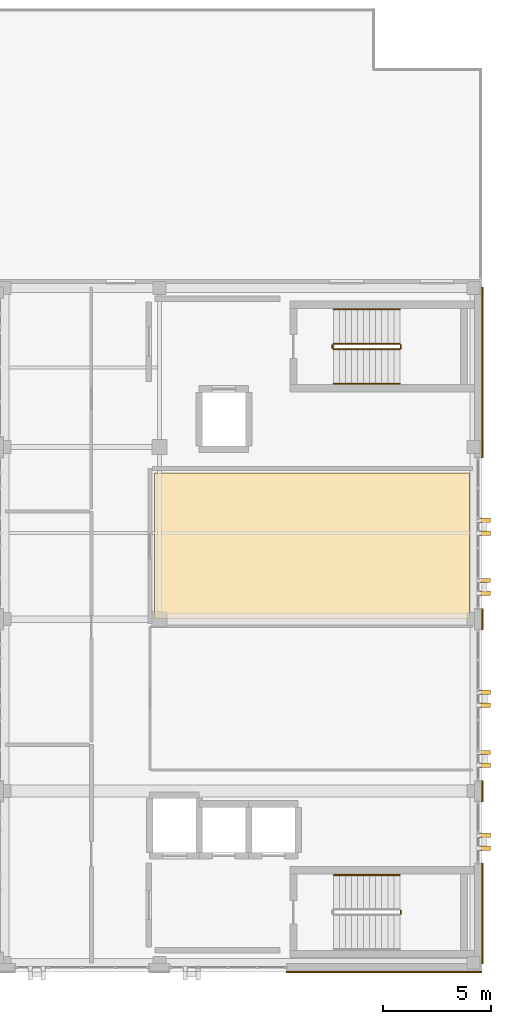
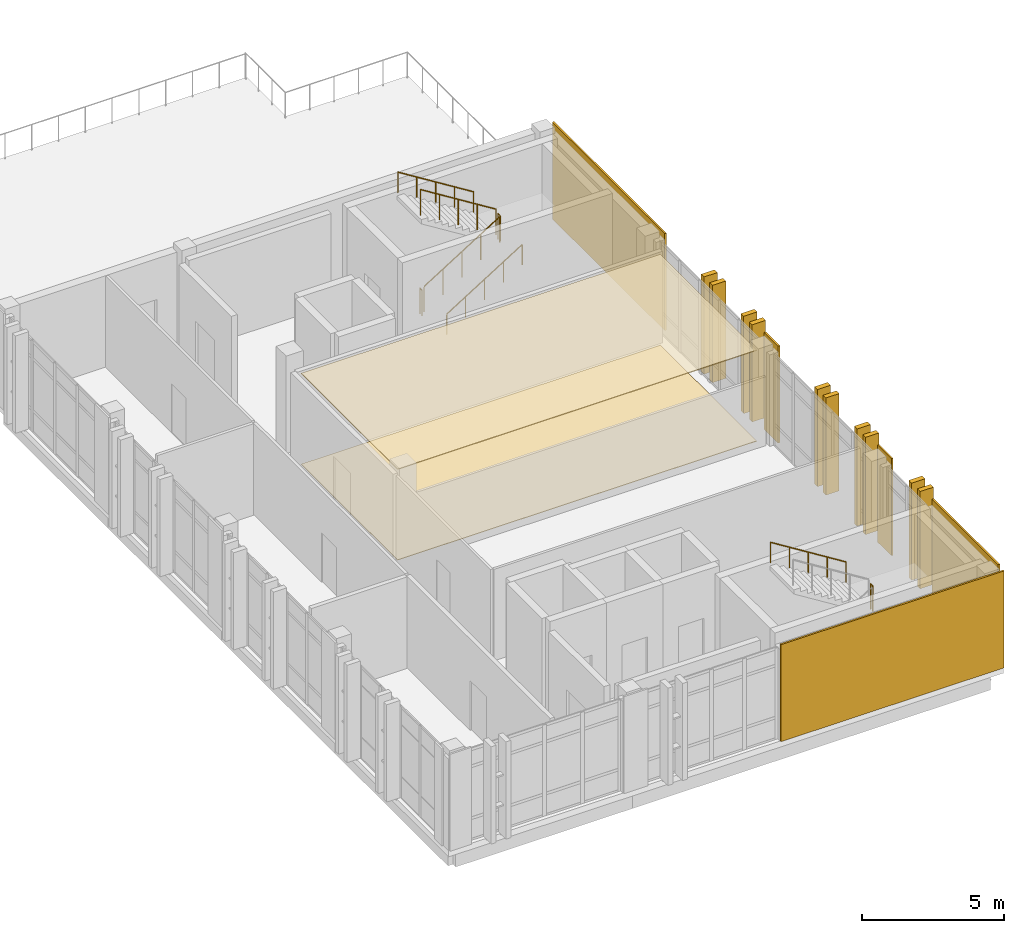
# One storey, part 45 of 48: 17 coverings, 8 railings.
"""IFC4 building model written with IfcOpenShell, lengths in metres."""

from ifc_helpers import new_model, si_unit, direction, frame, origin, origin_2d, place, context, subcontext, project, spatial, polyline, rectangle, circle, outline, extrude, material, layer, layer_set, type_object, element, save


model = new_model("IFC4")

# Units and contexts
model_context = context("Model", 3, precision=1e-05, world=origin(), true_north=direction((0.0, 1.0)))
body_context = subcontext(model_context, "Body", "Model", "MODEL_VIEW")
ifc_project = project(units=[si_unit("LENGTHUNIT", "METRE"), si_unit("AREAUNIT", "SQUARE_METRE"), si_unit("VOLUMEUNIT", "CUBIC_METRE"), si_unit("PLANEANGLEUNIT", "RADIAN"), si_unit("MASSUNIT", "GRAM", prefix="KILO")], contexts=[model_context])

# Site, building, storey
site_placement = place(None, origin())
site = spatial("IfcSite", under=ifc_project, at=site_placement, CompositionType="ELEMENT")
building_placement = place(site_placement, origin())
building = spatial("IfcBuilding", under=site, at=building_placement, Name="Qalavern Law Courts", CompositionType="ELEMENT")
storey_placement = place(building_placement, frame((0.0, 0.0, 31.199951171875)))
storey = spatial("IfcBuildingStorey", under=building, at=storey_placement, Name="L07", CompositionType="ELEMENT", Elevation=31.199951171875)

# Coverings
ifc_material_1 = material(Name="Precast concrete C40/50", Category="concrete")
ifc_layer_1 = layer(ifc_material_1, 0.199951171875)
ifc_layer_set_1 = layer_set([ifc_layer_1], Name="Precast concrete C40/50")
covering_type_1 = type_object("IfcCoveringType", Name="ENV-BLD-1", PredefinedType="CLADDING", material=ifc_layer_set_1)
for number, where, z_axis, x_axis, name in (
    (1, (106.9326171875, 46.75, 0.005126953125), (0.0, 0.0, 1.0), (1.0, 0.0, 0.0), "Absheron stone facade blade 0809"),
    (2, (106.9326171875, 47.35009765625, 0.005126953125), (0.0, 0.0, 1.0), (1.0, 0.0, 0.0), "Absheron stone facade blade 0810"),
    (3, (106.9326171875, 50.60009765625, 0.005126953125), (0.0, 0.0, 1.0), (1.0, 0.0, 0.0), "Absheron stone facade blade 0811"),
    (4, (106.9326171875, 51.199951171875, 0.005126953125), (0.0, 0.0, 1.0), (1.0, 0.0, 0.0), "Absheron stone facade blade 0812"),
    (5, (106.9326171875, 53.39990234375, 0.005126953125), (0.0, 0.0, 1.0), (1.0, 0.0, 0.0), "Absheron stone facade blade 0813"),
    (6, (106.9326171875, 54.0, 0.005126953125), (0.0, 0.0, 1.0), (1.0, 0.0, 0.0), "Absheron stone facade blade 0814"),
    (7, (106.9326171875, 58.60009765625, 0.005126953125), (0.0, 0.0, 1.0), (1.0, 0.0, 0.0), "Absheron stone facade blade 0815"),
    (8, (106.9326171875, 59.199951171875, 0.005126953125), (0.0, 0.0, 1.0), (1.0, 0.0, 0.0), "Absheron stone facade blade 0816"),
    (9, (106.9326171875, 61.39990234375, 0.005126953125), (0.0, 0.0, 1.0), (1.0, 0.0, 0.0), "Absheron stone facade blade 0817"),
    (10, (106.9326171875, 62.0, 0.005126953125), (0.0, 0.0, 1.0), (1.0, 0.0, 0.0), "Absheron stone facade blade 0818"),
):
    element("IfcCovering", number, at=place(storey_placement, frame(where, z_axis=z_axis, x_axis=x_axis)), inside=storey, type_object=covering_type_1, Name=name, PredefinedType="CLADDING", context=body_context, shape_type="SweptSolid", body=[
        extrude(rectangle(XDim=0.5400390625, YDim=0.199951171875, at=origin_2d()), origin(), (0.0, 0.0, 1.0), 4.18994140625),
    ])
ifc_layer_2 = layer(ifc_material_1, 0.072021484375)
ifc_layer_set_2 = layer_set([ifc_layer_2], Name="Precast concrete C40/50")
covering_type_2 = type_object("IfcCoveringType", Name="ENV-CLD-2", PredefinedType="CLADDING", material=ifc_layer_set_2)
covering_1_placement = place(storey_placement, frame((102.25, 40.987060546875, 0.01025390625), z_axis=(0.0, 0.0, 1.0), x_axis=(1.0, 0.0, 0.0)))
element("IfcCovering", 11, at=covering_1_placement, inside=storey, type_object=covering_type_2, Name="V4 Absheron limestone pier facing L07 south 3", PredefinedType="CLADDING", context=body_context, shape_type="SweptSolid", body=[
    extrude(rectangle(XDim=9.080078125, YDim=0.072021484375, at=origin_2d()), origin(), (0.0, 0.0, 1.0), 4.179931640625),
])
covering_2_placement = place(storey_placement, frame((106.8330078125, 43.7099609375, 0.01025390625), z_axis=(0.0, 0.0, 1.0), x_axis=(0.0, 1.0, 0.0)))
element("IfcCovering", 12, at=covering_2_placement, inside=storey, type_object=covering_type_2, Name="V4 Absheron limestone pier facing L07 east 1", PredefinedType="CLADDING", context=body_context, shape_type="SweptSolid", body=[
    extrude(rectangle(XDim=4.659912109375, YDim=0.072021484375, at=origin_2d()), origin(), (0.0, 0.0, 1.0), 4.179931640625),
])
for number, where, z_axis, x_axis, name in (
    (13, (106.8330078125, 49.39990234375, 0.01025390625), (0.0, 0.0, 1.0), (0.0, 1.0, 0.0), "V4 Absheron limestone pier facing L07 east 2"),
    (14, (106.8330078125, 57.39990234375, 0.01025390625), (0.0, 0.0, 1.0), (0.0, 1.0, 0.0), "V4 Absheron limestone pier facing L07 east 3"),
):
    element("IfcCovering", number, at=place(storey_placement, frame(where, z_axis=z_axis, x_axis=x_axis)), inside=storey, type_object=covering_type_2, Name=name, PredefinedType="CLADDING", context=body_context, shape_type="SweptSolid", body=[
        extrude(rectangle(XDim=0.97998046875, YDim=0.072021484375, at=origin_2d()), origin(), (0.0, 0.0, 1.0), 4.179931640625),
    ])
covering_3_placement = place(storey_placement, frame((106.8330078125, 68.875, 0.01025390625), z_axis=(0.0, 0.0, 1.0), x_axis=(0.0, 1.0, 0.0)))
element("IfcCovering", 15, at=covering_3_placement, inside=storey, type_object=covering_type_2, Name="V4 Absheron limestone pier facing L07 east 4", PredefinedType="CLADDING", context=body_context, shape_type="SweptSolid", body=[
    extrude(rectangle(XDim=7.929931640625, YDim=0.072021484375, at=origin_2d()), origin(), (0.0, 0.0, 1.0), 4.179931640625),
])
ifc_material_2 = material(Name="Perforated gypsum and mineral-wool acoustic ceiling")
ifc_layer_3 = layer(ifc_material_2, 0.0380859375)
ifc_layer_set_3 = layer_set([ifc_layer_3], Name="Perforated gypsum and mineral-wool acoustic ceiling")
covering_type_3 = type_object("IfcCoveringType", Name="INT-CEIL-1", PredefinedType="CEILING", material=ifc_layer_set_3)
covering_4_placement = place(storey_placement, frame((0.0, 0.0, 3.902099609375)))
element("IfcCovering", 16, at=covering_4_placement, inside=storey, type_object=covering_type_3, Name="Appellate Courtroom acoustic ceiling L07", PredefinedType="CEILING", context=body_context, shape_type="SweptSolid", body=[
    extrude(outline(polyline([(91.570068359375, 57.39501953125), (106.2099609375, 57.39501953125), (106.2099609375, 64.199951171875), (91.570068359375, 64.199951171875), (91.570068359375, 57.39501953125)])), origin(), (0.0, 0.0, 1.0), 0.037841796875),
])
ifc_material_3 = material(Name="Acoustic engineered oak courtroom flooring")
ifc_layer_4 = layer(ifc_material_3, 0.02197265625)
ifc_layer_set_4 = layer_set([ifc_layer_4], Name="Acoustic engineered oak courtroom flooring")
covering_type_4 = type_object("IfcCoveringType", Name="INT-FLR-1", PredefinedType="FLOORING", material=ifc_layer_set_4)
covering_5_placement = place(storey_placement, origin())
element("IfcCovering", 17, at=covering_5_placement, inside=storey, type_object=covering_type_4, Name="Appellate Courtroom finish flooring L07", PredefinedType="FLOORING", context=body_context, shape_type="SweptSolid", body=[
    extrude(outline(polyline([(91.570068359375, 57.39501953125), (106.2099609375, 57.39501953125), (106.2099609375, 64.199951171875), (91.570068359375, 64.199951171875), (91.570068359375, 57.39501953125)])), origin(), (0.0, 0.0, 1.0), 0.02197265625),
])

# Railings
ifc_material_4 = material(Name="Steel S355", Category="steel")
railing_type_1 = type_object("IfcRailingType", Name="INT-GUARD-1120", PredefinedType="BALUSTRADE", material=ifc_material_4)
railing_1_placement = place(storey_placement, frame((103.030029296875, 43.699951171875, 2.10009765625)))
element("IfcRailing", 18, at=railing_1_placement, inside=storey, type_object=railing_type_1, Name="L07 ST-K1A stair guard 2", PredefinedType="BALUSTRADE", context=body_context, shape_type="SweptSolid", body=[
    extrude(circle(Radius=0.02392578125, at=origin_2d()), frame((0.0, 0.0, 1.09619140625), z_axis=(0.0, 1.0, 0.0), x_axis=(-1.0, 0.0, 0.0)), (0.0, 0.0, 1.0), 0.150146484375),
    extrude(circle(Radius=0.02099609375, at=origin_2d()), origin(), (0.0, 0.0, 1.0), 1.072021484375),
    extrude(circle(Radius=0.02099609375, at=origin_2d()), frame((0.0, 0.150146484375, 0.0)), (0.0, 0.0, 1.0), 1.072021484375),
])
railing_2_placement = place(storey_placement, frame((99.89990234375, 69.949951171875, 0.175048828125)))
element("IfcRailing", 19, at=railing_2_placement, inside=storey, type_object=railing_type_1, Name="L07 ST-K1B stair guard 1", PredefinedType="BALUSTRADE", context=body_context, shape_type="SweptSolid", body=[
    extrude(circle(Radius=0.02392578125, at=origin_2d()), frame((0.0, 0.0, 1.09619140625), z_axis=(0.847998304005, 0.0, 0.529998940003), x_axis=(0.0, 1.0, 0.0)), (0.0, 0.0, 1.0), 3.632080078125),
    extrude(circle(Radius=0.02099609375, at=origin_2d()), origin(), (0.0, 0.0, 1.0), 1.072021484375),
    extrude(circle(Radius=0.02099609375, at=origin_2d()), frame((0.77001953125, 0.0, 0.481201171875)), (0.0, 0.0, 1.0), 1.072021484375),
    extrude(circle(Radius=0.02099609375, at=origin_2d()), frame((1.5400390625, 0.0, 0.96240234375)), (0.0, 0.0, 1.0), 1.072021484375),
    extrude(circle(Radius=0.02099609375, at=origin_2d()), frame((2.31005859375, 0.0, 1.44384765625)), (0.0, 0.0, 1.0), 1.072021484375),
    extrude(circle(Radius=0.02099609375, at=origin_2d()), frame((3.080078125, 0.0, 1.925048828125)), (0.0, 0.0, 1.0), 1.072021484375),
])
railing_3_placement = place(storey_placement, frame((103.030029296875, 70.0, 2.10009765625)))
element("IfcRailing", 20, at=railing_3_placement, inside=storey, type_object=railing_type_1, Name="L07 ST-K1B stair guard 2", PredefinedType="BALUSTRADE", context=body_context, shape_type="SweptSolid", body=[
    extrude(circle(Radius=0.02392578125, at=origin_2d()), frame((0.0, 0.0, 1.09619140625), z_axis=(0.0, 1.0, 0.0), x_axis=(-1.0, 0.0, 0.0)), (0.0, 0.0, 1.0), 0.14990234375),
    extrude(circle(Radius=0.02099609375, at=origin_2d()), origin(), (0.0, 0.0, 1.0), 1.072021484375),
    extrude(circle(Radius=0.02099609375, at=origin_2d()), frame((0.0, 0.14990234375, 0.0)), (0.0, 0.0, 1.0), 1.072021484375),
])
railing_4_placement = place(storey_placement, frame((102.97998046875, 70.199951171875, 2.275146484375)))
element("IfcRailing", 21, at=railing_4_placement, inside=storey, type_object=railing_type_1, Name="L07 ST-K1B stair guard 3", PredefinedType="BALUSTRADE", context=body_context, shape_type="SweptSolid", body=[
    extrude(circle(Radius=0.02392578125, at=origin_2d()), frame((0.0, 0.0, 1.09619140625), z_axis=(-0.848028513186, 0.0, 0.529950602248), x_axis=(0.0, -1.0, 0.0)), (0.0, 0.0, 1.0), 3.632080078125),
    extrude(circle(Radius=0.02099609375, at=origin_2d()), origin(), (0.0, 0.0, 1.0), 1.072021484375),
    extrude(circle(Radius=0.02099609375, at=origin_2d()), frame((-0.77001953125, 0.0, 0.481201171875)), (0.0, 0.0, 1.0), 1.072021484375),
    extrude(circle(Radius=0.02099609375, at=origin_2d()), frame((-1.5400390625, 0.0, 0.96240234375)), (0.0, 0.0, 1.0), 1.072021484375),
    extrude(circle(Radius=0.02099609375, at=origin_2d()), frame((-2.31005859375, 0.0, 1.443603515625)), (0.0, 0.0, 1.0), 1.072021484375),
    extrude(circle(Radius=0.02099609375, at=origin_2d()), frame((-3.080078125, 0.0, 1.9248046875)), (0.0, 0.0, 1.0), 1.072021484375),
])
railing_5_placement = place(storey_placement, frame((99.85009765625, 70.0, 0.0)))
element("IfcRailing", 22, at=railing_5_placement, inside=storey, type_object=railing_type_1, Name="L07 ST-K1B stair guard 4", PredefinedType="BALUSTRADE", context=body_context, shape_type="SweptSolid", body=[
    extrude(circle(Radius=0.02392578125, at=origin_2d()), frame((0.0, 0.0, 1.09619140625), z_axis=(0.0, 1.0, 0.0), x_axis=(-1.0, 0.0, 0.0)), (0.0, 0.0, 1.0), 0.14990234375),
    extrude(circle(Radius=0.02099609375, at=origin_2d()), origin(), (0.0, 0.0, 1.0), 1.072021484375),
    extrude(circle(Radius=0.02099609375, at=origin_2d()), frame((0.0, 0.14990234375, 0.0)), (0.0, 0.0, 1.0), 1.072021484375),
])
railing_type_2 = type_object("IfcRailingType", Name="INT-HRAIL-920", PredefinedType="HANDRAIL", material=ifc_material_4)
railing_6_placement = place(storey_placement, frame((102.97998046875, 45.5, 2.275146484375)))
element("IfcRailing", 23, at=railing_6_placement, inside=storey, type_object=railing_type_2, Name="L07 ST-K1A stair handrail 2", PredefinedType="HANDRAIL", context=body_context, shape_type="SweptSolid", body=[
    extrude(circle(Radius=0.02392578125, at=origin_2d()), frame((0.0, 0.0, 0.8759765625), z_axis=(-0.848028513186, 0.0, 0.529950602248), x_axis=(0.0, -1.0, 0.0)), (0.0, 0.0, 1.0), 3.632080078125),
    extrude(circle(Radius=0.02099609375, at=origin_2d()), origin(), (0.0, 0.0, 1.0), 0.851806640625),
    extrude(circle(Radius=0.02099609375, at=origin_2d()), frame((-0.77001953125, 0.0, 0.481201171875)), (0.0, 0.0, 1.0), 0.851806640625),
    extrude(circle(Radius=0.02099609375, at=origin_2d()), frame((-1.5400390625, 0.0, 0.96240234375)), (0.0, 0.0, 1.0), 0.851806640625),
    extrude(circle(Radius=0.02099609375, at=origin_2d()), frame((-2.31005859375, 0.0, 1.443603515625)), (0.0, 0.0, 1.0), 0.851806640625),
    extrude(circle(Radius=0.02099609375, at=origin_2d()), frame((-3.080078125, 0.0, 1.9248046875)), (0.0, 0.0, 1.0), 0.851806640625),
])
railing_7_placement = place(storey_placement, frame((99.89990234375, 68.35009765625, 0.175048828125)))
element("IfcRailing", 24, at=railing_7_placement, inside=storey, type_object=railing_type_2, Name="L07 ST-K1B stair handrail 1", PredefinedType="HANDRAIL", context=body_context, shape_type="SweptSolid", body=[
    extrude(circle(Radius=0.02392578125, at=origin_2d()), frame((0.0, 0.0, 0.8759765625), z_axis=(0.847998304005, 0.0, 0.529998940003), x_axis=(0.0, 1.0, 0.0)), (0.0, 0.0, 1.0), 3.632080078125),
    extrude(circle(Radius=0.02099609375, at=origin_2d()), origin(), (0.0, 0.0, 1.0), 0.851806640625),
    extrude(circle(Radius=0.02099609375, at=origin_2d()), frame((0.77001953125, 0.0, 0.481201171875)), (0.0, 0.0, 1.0), 0.851806640625),
    extrude(circle(Radius=0.02099609375, at=origin_2d()), frame((1.5400390625, 0.0, 0.96240234375)), (0.0, 0.0, 1.0), 0.851806640625),
    extrude(circle(Radius=0.02099609375, at=origin_2d()), frame((2.31005859375, 0.0, 1.44384765625)), (0.0, 0.0, 1.0), 0.851806640625),
    extrude(circle(Radius=0.02099609375, at=origin_2d()), frame((3.080078125, 0.0, 1.925048828125)), (0.0, 0.0, 1.0), 0.851806640625),
])
railing_8_placement = place(storey_placement, frame((102.97998046875, 71.800048828125, 2.275146484375)))
element("IfcRailing", 25, at=railing_8_placement, inside=storey, type_object=railing_type_2, Name="L07 ST-K1B stair handrail 2", PredefinedType="HANDRAIL", context=body_context, shape_type="SweptSolid", body=[
    extrude(circle(Radius=0.02392578125, at=origin_2d()), frame((0.0, 0.0, 0.8759765625), z_axis=(-0.848028513186, 0.0, 0.529950602248), x_axis=(0.0, -1.0, 0.0)), (0.0, 0.0, 1.0), 3.632080078125),
    extrude(circle(Radius=0.02099609375, at=origin_2d()), origin(), (0.0, 0.0, 1.0), 0.851806640625),
    extrude(circle(Radius=0.02099609375, at=origin_2d()), frame((-0.77001953125, 0.0, 0.481201171875)), (0.0, 0.0, 1.0), 0.851806640625),
    extrude(circle(Radius=0.02099609375, at=origin_2d()), frame((-1.5400390625, 0.0, 0.96240234375)), (0.0, 0.0, 1.0), 0.851806640625),
    extrude(circle(Radius=0.02099609375, at=origin_2d()), frame((-2.31005859375, 0.0, 1.443603515625)), (0.0, 0.0, 1.0), 0.851806640625),
    extrude(circle(Radius=0.02099609375, at=origin_2d()), frame((-3.080078125, 0.0, 1.9248046875)), (0.0, 0.0, 1.0), 0.851806640625),
])

save(model, "model.ifc")
